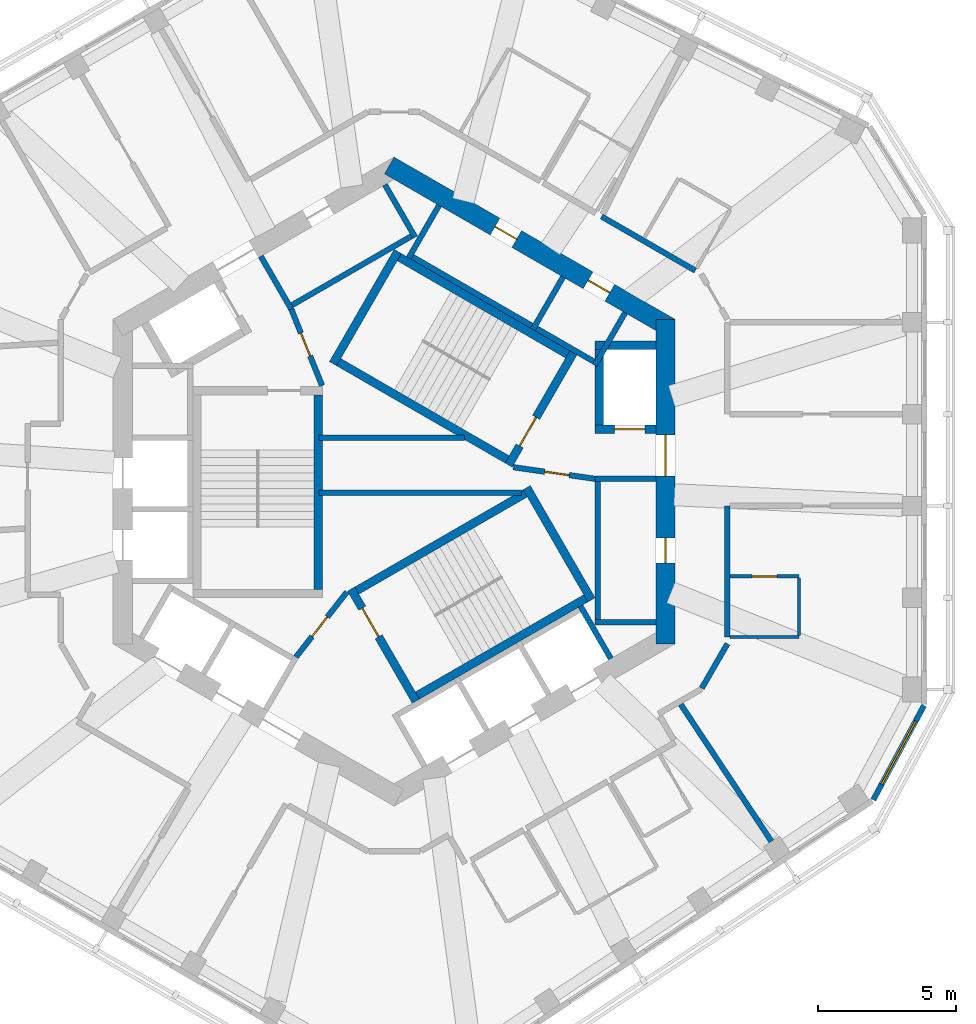
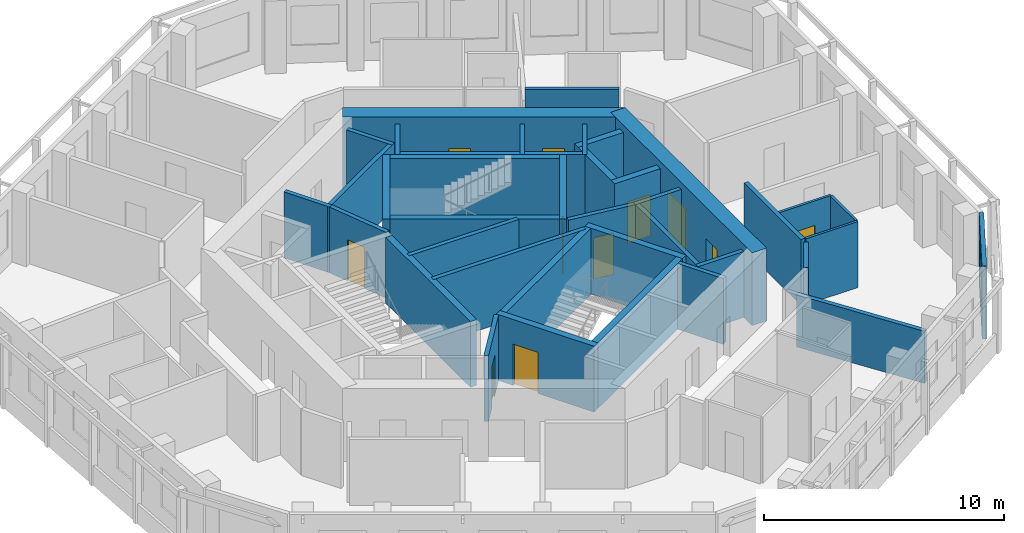
# One storey, part 6 of 11: 38 walls, 11 doors, 1 window, 12 openings.
"""IFC4 building model written with IfcOpenShell, lengths in metres."""

from ifc_helpers import new_model, si_unit, direction, frame, frame_2d, origin, place, context, subcontext, project, spatial, rectangle, extrude, material, layer, layer_set, type_object, element, fill, save


model = new_model("IFC4")

# Units and contexts
model_context = context("Model", 3, precision=1e-05, world=origin(), true_north=direction((0.0, 1.0)))
body_context = subcontext(model_context, "Body", "Model", "MODEL_VIEW")
ifc_project = project(units=[si_unit("LENGTHUNIT", "METRE"), si_unit("AREAUNIT", "SQUARE_METRE"), si_unit("VOLUMEUNIT", "CUBIC_METRE"), si_unit("PLANEANGLEUNIT", "RADIAN"), si_unit("MASSUNIT", "GRAM", prefix="KILO")], contexts=[model_context])

# Site, building, storey
site_placement = place(None, origin())
site = spatial("IfcSite", under=ifc_project, at=site_placement, CompositionType="ELEMENT")
building_placement = place(site_placement, origin())
building = spatial("IfcBuilding", under=site, at=building_placement, Name="Vanh Sen Convention Tower", CompositionType="ELEMENT")
storey_placement = place(building_placement, frame((0.0, 0.0, 296.800048828125)))
storey = spatial("IfcBuildingStorey", under=building, at=storey_placement, Name="L73", CompositionType="ELEMENT", Elevation=296.800048828125)

# Wall, opening, door
ifc_material_1 = material(Name="Moisture-resistant gypsum board on steel studs", Category="steel")
ifc_layer_1 = layer(ifc_material_1, 0.1201171875)
ifc_layer_set_1 = layer_set([ifc_layer_1], Name="Moisture-resistant gypsum board on steel studs")
wall_type_1 = type_object("IfcWallType", Name="Bathroom partition 120", PredefinedType="PARTITIONING", material=ifc_layer_set_1)
wall_1_placement = place(storey_placement, frame((12.199951171875, -3.43896484375, 0.0), z_axis=(0.0, 0.0, 1.0), x_axis=(1.0, 0.0, 0.0)))
wall_1 = element("IfcWall", 1, at=wall_1_placement, inside=storey, type_object=wall_type_1, Name="Bathroom partition 120", PredefinedType="PARTITIONING", context=body_context, shape_type="SweptSolid", body=[
    extrude(rectangle(XDim=2.5, YDim=0.1201171875, at=frame_2d((1.25, 0.0))), origin(), (0.0, 0.0, 1.0), 3.349853515625),
])
opening_1_placement = place(wall_1_placement, frame((0.800048828125, 0.0, 0.0)))
opening_1 = element("IfcOpeningElement", 2, at=opening_1_placement, cuts=wall_1, Name="Opening D72120", PredefinedType="OPENING", context=body_context, shape_type="SweptSolid", body=[
    extrude(rectangle(XDim=0.89990234375, YDim=2.10009765625, at=frame_2d((0.449951171875, 1.050048828125))), frame((0.0, 0.070068359375, 0.0), z_axis=(0.0, -1.0, 0.0), x_axis=(1.0, 0.0, 0.0)), (0.0, 0.0, 1.0), 0.14013671875),
])
ifc_material_2 = material(Name="Laminate door in steel frame", Category="steel")
door_type_1 = type_object("IfcDoorType", Name="Room internal door 900", OperationType="SINGLE_SWING_LEFT", PredefinedType="DOOR", material=ifc_material_2)
door_1_placement = place(opening_1_placement, origin())
door_1 = element("IfcDoor", 3, at=door_1_placement, inside=storey, type_object=door_type_1, Name="Internal room door D72120", OperationType="SINGLE_SWING_LEFT", OverallHeight=2.10009765625, OverallWidth=0.89990234375, PredefinedType="DOOR", context=body_context, shape_type="SweptSolid", body=[
    extrude(rectangle(XDim=0.89990234375, YDim=2.10009765625, at=frame_2d((0.449951171875, 1.050048828125))), frame((0.0, 0.02490234375, 0.0), z_axis=(0.0, -1.0, 0.0), x_axis=(1.0, 0.0, 0.0)), (0.0, 0.0, 1.0), 0.050048828125),
])
fill(opening_1, door_1)

# Walls
wall_2_placement = place(storey_placement, frame((14.699951171875, -5.638916015625, 0.0), z_axis=(0.0, 0.0, 1.0), x_axis=(-1.0, 0.0, 0.0)))
element("IfcWall", 4, at=wall_2_placement, inside=storey, type_object=wall_type_1, Name="Bathroom partition 120", PredefinedType="PARTITIONING", context=body_context, shape_type="SweptSolid", body=[
    extrude(rectangle(XDim=2.5, YDim=0.1201171875, at=frame_2d((1.25, 0.0))), origin(), (0.0, 0.0, 1.0), 3.349853515625),
])
wall_3_placement = place(storey_placement, frame((14.699951171875, -3.4990234375, 0.0), z_axis=(0.0, 0.0, 1.0), x_axis=(0.0, -1.0, 0.0)))
element("IfcWall", 5, at=wall_3_placement, inside=storey, type_object=wall_type_1, Name="Bathroom partition 120", PredefinedType="PARTITIONING", context=body_context, shape_type="SweptSolid", body=[
    extrude(rectangle(XDim=2.080078125, YDim=0.1201171875, at=frame_2d((1.0400390625, 0.0))), origin(), (0.0, 0.0, 1.0), 3.349853515625),
])

# Wall, openings, doors
ifc_material_3 = material(Name="Concrete C60/75", Category="concrete")
ifc_layer_2 = layer(ifc_material_3, 0.699951171875)
ifc_layer_set_2 = layer_set([ifc_layer_2], Name="Concrete C60/75")
wall_type_2 = type_object("IfcWallType", Name="Core outer wall 700 C60/75", PredefinedType="SHEAR", material=ifc_layer_set_2)
wall_4_placement = place(storey_placement, frame((9.85009765625, -5.888916015625, 0.0), z_axis=(0.0, 0.0, 1.0), x_axis=(0.0, 1.0, 0.0)))
wall_4 = element("IfcWall", 6, at=wall_4_placement, inside=storey, type_object=wall_type_2, Name="Core wall face E L73", PredefinedType="SHEAR", context=body_context, shape_type="SweptSolid", body=[
    extrude(rectangle(XDim=11.77783203125, YDim=0.699951171875, at=frame_2d((5.888916015625, 0.0))), origin(), (0.0, 0.0, 1.0), 3.699951171875),
])
opening_2_placement = place(wall_4_placement, frame((6.089111328125, 0.0, 0.0)))
opening_2 = element("IfcOpeningElement", 7, at=opening_2_placement, cuts=wall_4, Name="Opening D72001", PredefinedType="OPENING", context=body_context, shape_type="SweptSolid", body=[
    extrude(rectangle(XDim=1.5, YDim=2.10009765625, at=frame_2d((0.75, 1.050048828125))), frame((0.0, 0.35986328125, 0.0), z_axis=(0.0, -1.0, 0.0), x_axis=(1.0, 0.0, 0.0)), (0.0, 0.0, 1.0), 0.719970703125),
])
opening_3_placement = place(wall_4_placement, frame((2.93896484375, 0.0, 0.0)))
opening_3 = element("IfcOpeningElement", 8, at=opening_3_placement, cuts=wall_4, Name="Opening D72010", PredefinedType="OPENING", context=body_context, shape_type="SweptSolid", body=[
    extrude(rectangle(XDim=0.89990234375, YDim=2.10009765625, at=frame_2d((0.449951171875, 1.050048828125))), frame((0.0, 0.35986328125, 0.0), z_axis=(0.0, -1.0, 0.0), x_axis=(1.0, 0.0, 0.0)), (0.0, 0.0, 1.0), 0.719970703125),
])
ifc_material_4 = material(Name="Steel S355", Category="steel")
door_type_2 = type_object("IfcDoorType", Name="Plant door 900", OperationType="SINGLE_SWING_LEFT", PredefinedType="DOOR", material=ifc_material_4)
door_2_placement = place(opening_3_placement, origin())
door_2 = element("IfcDoor", 9, at=door_2_placement, inside=storey, type_object=door_type_2, Name="Plant door D72010", OperationType="SINGLE_SWING_LEFT", OverallHeight=2.10009765625, OverallWidth=0.89990234375, PredefinedType="DOOR", context=body_context, shape_type="SweptSolid", body=[
    extrude(rectangle(XDim=0.89990234375, YDim=2.10009765625, at=frame_2d((0.449951171875, 1.050048828125))), frame((0.0, 0.02490234375, 0.0), z_axis=(0.0, -1.0, 0.0), x_axis=(1.0, 0.0, 0.0)), (0.0, 0.0, 1.0), 0.050048828125),
])
fill(opening_3, door_2)
door_type_3 = type_object("IfcDoorType", Name="Stair lobby door 1500", OperationType="DOUBLE_DOOR_SINGLE_SWING", PredefinedType="DOOR", material=ifc_material_4)
door_3_placement = place(opening_2_placement, origin())
door_3 = element("IfcDoor", 10, at=door_3_placement, inside=storey, type_object=door_type_3, Name="Stair lobby door D72001", OperationType="DOUBLE_DOOR_SINGLE_SWING", OverallHeight=2.10009765625, OverallWidth=1.5, PredefinedType="DOOR", context=body_context, shape_type="SweptSolid", body=[
    extrude(rectangle(XDim=1.5, YDim=2.10009765625, at=frame_2d((0.75, 1.050048828125))), frame((0.0, 0.02490234375, 0.0), z_axis=(0.0, -1.0, 0.0), x_axis=(1.0, 0.0, 0.0)), (0.0, 0.0, 1.0), 0.050048828125),
])
fill(opening_2, door_3)

wall_5_placement = place(storey_placement, frame((10.02490234375, 5.5859375, 0.0), z_axis=(0.0, 0.0, 1.0), x_axis=(-0.866026453023, 0.499998182661, 0.0)))
wall_5 = element("IfcWall", 11, at=wall_5_placement, inside=storey, type_object=wall_type_2, Name="Core wall face NE L73", PredefinedType="SHEAR", context=body_context, shape_type="SweptSolid", body=[
    extrude(rectangle(XDim=11.77783203125, YDim=0.699951171875, at=frame_2d((5.888916015625, 0.0))), origin(), (0.0, 0.0, 1.0), 3.699951171875),
])
opening_4_placement = place(wall_5_placement, frame((2.5390625, 0.0, 0.0)))
opening_4 = element("IfcOpeningElement", 12, at=opening_4_placement, cuts=wall_5, Name="Opening D72011", PredefinedType="OPENING", context=body_context, shape_type="SweptSolid", body=[
    extrude(rectangle(XDim=0.89990234375, YDim=2.10009765625, at=frame_2d((0.449951171875, 1.050048828125))), frame((0.0, 0.35986328125, 0.0), z_axis=(0.0, -1.0, 0.0), x_axis=(1.0, 0.0, 0.0)), (0.0, 0.0, 1.0), 0.719970703125),
])
opening_5_placement = place(wall_5_placement, frame((6.43896484375, 0.0, 0.0)))
opening_5 = element("IfcOpeningElement", 13, at=opening_5_placement, cuts=wall_5, Name="Opening D72012", PredefinedType="OPENING", context=body_context, shape_type="SweptSolid", body=[
    extrude(rectangle(XDim=0.89990234375, YDim=2.10009765625, at=frame_2d((0.449951171875, 1.050048828125))), frame((0.0, 0.35986328125, 0.0), z_axis=(0.0, -1.0, 0.0), x_axis=(1.0, 0.0, 0.0)), (0.0, 0.0, 1.0), 0.719970703125),
])
door_4_placement = place(opening_4_placement, origin())
door_4 = element("IfcDoor", 14, at=door_4_placement, inside=storey, type_object=door_type_2, Name="Plant door D72011", OperationType="SINGLE_SWING_LEFT", OverallHeight=2.10009765625, OverallWidth=0.89990234375, PredefinedType="DOOR", context=body_context, shape_type="SweptSolid", body=[
    extrude(rectangle(XDim=0.89990234375, YDim=2.10009765625, at=frame_2d((0.449951171875, 1.050048828125))), frame((0.0, 0.02490234375, 0.0), z_axis=(0.0, -1.0, 0.0), x_axis=(1.0, 0.0, 0.0)), (0.0, 0.0, 1.0), 0.050048828125),
])
fill(opening_4, door_4)
door_5_placement = place(opening_5_placement, origin())
door_5 = element("IfcDoor", 15, at=door_5_placement, inside=storey, type_object=door_type_2, Name="Plant door D72012", OperationType="SINGLE_SWING_LEFT", OverallHeight=2.10009765625, OverallWidth=0.89990234375, PredefinedType="DOOR", context=body_context, shape_type="SweptSolid", body=[
    extrude(rectangle(XDim=0.89990234375, YDim=2.10009765625, at=frame_2d((0.449951171875, 1.050048828125))), frame((0.0, 0.02490234375, 0.0), z_axis=(0.0, -1.0, 0.0), x_axis=(1.0, 0.0, 0.0)), (0.0, 0.0, 1.0), 0.050048828125),
])
fill(opening_5, door_5)

# Walls
ifc_material_5 = material(Name="Masonry blockwork", Category="masonry")
ifc_layer_3 = layer(ifc_material_5, 0.199951171875)
ifc_layer_set_3 = layer_set([ifc_layer_3], Name="Masonry blockwork")
wall_type_3 = type_object("IfcWallType", Name="Core partition 200", PredefinedType="PARTITIONING", material=ifc_layer_set_3)
wall_6_placement = place(storey_placement, frame((-2.719970703125, -0.39990234375, 0.0), z_axis=(0.0, 0.0, 1.0), x_axis=(1.0, 0.0, 0.0)))
element("IfcWall", 16, at=wall_6_placement, inside=storey, type_object=wall_type_3, Name="Core partition L73", PredefinedType="PARTITIONING", context=body_context, shape_type="SweptSolid", body=[
    extrude(rectangle(XDim=7.34716796875, YDim=0.199951171875, at=frame_2d((3.673583984375, 0.0))), origin(), (0.0, 0.0, 1.0), 3.349853515625),
])
wall_7_placement = place(storey_placement, frame((-2.719970703125, 1.60009765625, 0.0), z_axis=(0.0, 0.0, 1.0), x_axis=(1.0, 0.0, 0.0)))
element("IfcWall", 17, at=wall_7_placement, inside=storey, type_object=wall_type_3, Name="Core partition L73", PredefinedType="PARTITIONING", context=body_context, shape_type="SweptSolid", body=[
    extrude(rectangle(XDim=5.2685546875, YDim=0.199951171875, at=frame_2d((2.63427734375, 0.0))), origin(), (0.0, 0.0, 1.0), 3.349853515625),
])
ifc_material_6 = material(Name="Gypsum board on steel studs with mineral wool", Category="steel")
ifc_layer_4 = layer(ifc_material_6, 0.199951171875)
ifc_layer_set_4 = layer_set([ifc_layer_4], Name="Gypsum board on steel studs with mineral wool")
wall_type_4 = type_object("IfcWallType", Name="Corridor partition wall 200", PredefinedType="PARTITIONING", material=ifc_layer_set_4)
wall_8_placement = place(storey_placement, frame((10.93359375, 7.659423828125, 0.0), z_axis=(0.0, 0.0, 1.0), x_axis=(-0.866034411203, 0.499984398369, 0.0)))
element("IfcWall", 18, at=wall_8_placement, inside=storey, type_object=wall_type_4, Name="Corridor partition wall 200", PredefinedType="PARTITIONING", context=body_context, shape_type="SweptSolid", body=[
    extrude(rectangle(XDim=3.926513671875, YDim=0.199951171875, at=frame_2d((1.96337890625, 0.0))), origin(), (0.0, 0.0, 1.0), 3.349853515625),
])
wall_9_placement = place(storey_placement, frame((11.169921875, -7.5, 0.0), z_axis=(0.0, 0.0, 1.0), x_axis=(0.500006454166, 0.866021677438, 0.0)))
element("IfcWall", 19, at=wall_9_placement, inside=storey, type_object=wall_type_4, Name="Corridor partition wall 200", PredefinedType="PARTITIONING", context=body_context, shape_type="SweptSolid", body=[
    extrude(rectangle(XDim=1.8603515625, YDim=0.199951171875, at=frame_2d((0.93017578125, 0.0))), origin(), (0.0, 0.0, 1.0), 3.349853515625),
])
wall_10_placement = place(storey_placement, frame((12.10009765625, -5.638916015625, 0.0), z_axis=(0.0, 0.0, 1.0), x_axis=(0.0, 1.0, 0.0)))
element("IfcWall", 20, at=wall_10_placement, inside=storey, type_object=wall_type_4, Name="Corridor partition wall 200", PredefinedType="PARTITIONING", context=body_context, shape_type="SweptSolid", body=[
    extrude(rectangle(XDim=4.755615234375, YDim=0.199951171875, at=frame_2d((2.3779296875, 0.0))), origin(), (0.0, 0.0, 1.0), 3.349853515625),
])

# Wall, opening, window
ifc_material_7 = material(Name="Insulated lightweight infill wall")
ifc_layer_5 = layer(ifc_material_7, 0.199951171875)
ifc_layer_set_5 = layer_set([ifc_layer_5], Name="Insulated lightweight infill wall")
wall_type_5 = type_object("IfcWallType", Name="External wall 200", PredefinedType="STANDARD", material=ifc_layer_set_5)
wall_11_placement = place(storey_placement, frame((17.39892578125, -11.55419921875, 0.0), z_axis=(0.0, 0.0, 1.0), x_axis=(0.473309051311, 0.880896442238, 0.0)))
wall_11 = element("IfcWall", 21, at=wall_11_placement, inside=storey, type_object=wall_type_5, Name="External wall CH6 L73", PredefinedType="STANDARD", context=body_context, shape_type="SweptSolid", body=[
    extrude(rectangle(XDim=3.8857421875, YDim=0.199951171875, at=frame_2d((1.94287109375, 0.0))), origin(), (0.0, 0.0, 1.0), 3.699951171875),
])
opening_6_placement = place(wall_11_placement, frame((0.642822265625, 0.0, 0.89990234375)))
opening_6 = element("IfcOpeningElement", 22, at=opening_6_placement, cuts=wall_11, Name="Opening WO6-CH61", PredefinedType="OPENING", context=body_context, shape_type="SweptSolid", body=[
    extrude(rectangle(XDim=2.60009765625, YDim=2.0, at=frame_2d((1.300048828125, 1.0))), frame((0.0, 0.10986328125, 0.0), z_axis=(0.0, -1.0, 0.0), x_axis=(1.0, 0.0, 0.0)), (0.0, 0.0, 1.0), 0.219970703125),
])
ifc_material_8 = material(Name="Aluminium frame with clear low-emissivity glass", Category="aluminium")
window_type = type_object("IfcWindowType", Name="Office window 2600 x 2000", PartitioningType="SINGLE_PANEL", PredefinedType="WINDOW", material=ifc_material_8)
window_placement = place(opening_6_placement, origin())
window = element("IfcWindow", 23, at=window_placement, inside=storey, type_object=window_type, Name="Window WO6-CH61", OverallHeight=2.0, OverallWidth=2.60009765625, PartitioningType="SINGLE_PANEL", PredefinedType="WINDOW", context=body_context, shape_type="SweptSolid", body=[
    extrude(rectangle(XDim=2.60009765625, YDim=2.0, at=frame_2d((1.300048828125, 1.0))), frame((0.0, 0.030029296875, 0.0), z_axis=(0.0, -1.0, 0.0), x_axis=(1.0, 0.0, 0.0)), (0.0, 0.0, 1.0), 0.06005859375),
])
fill(opening_6, window)

# Wall, opening, door
ifc_layer_6 = layer(ifc_material_3, 0.300048828125)
ifc_layer_set_6 = layer_set([ifc_layer_6], Name="Concrete C60/75")
wall_type_6 = type_object("IfcWallType", Name="Fire-fighting lift shaft wall 300", PredefinedType="SHEAR", material=ifc_layer_set_6)
wall_12_placement = place(storey_placement, frame((7.300048828125, 1.89990234375, 0.0), z_axis=(0.0, 0.0, 1.0), x_axis=(1.0, 0.0, 0.0)))
wall_12 = element("IfcWall", 24, at=wall_12_placement, inside=storey, type_object=wall_type_6, Name="Fire-fighting lift shaft wall L73", PredefinedType="SHEAR", context=body_context, shape_type="SweptSolid", body=[
    extrude(rectangle(XDim=2.199951171875, YDim=0.300048828125, at=frame_2d((1.10009765625, 0.0))), origin(), (0.0, 0.0, 1.0), 3.349853515625),
])
opening_7_placement = place(wall_12_placement, frame((0.699951171875, 0.0, 0.0)))
opening_7 = element("IfcOpeningElement", 25, at=opening_7_placement, cuts=wall_12, Name="Opening LD-FF1", PredefinedType="OPENING", context=body_context, shape_type="SweptSolid", body=[
    extrude(rectangle(XDim=1.10009765625, YDim=2.10009765625, at=frame_2d((0.550048828125, 1.050048828125))), frame((0.0, 0.159912109375, 0.0), z_axis=(0.0, -1.0, 0.0), x_axis=(1.0, 0.0, 0.0)), (0.0, 0.0, 1.0), 0.320068359375),
])
ifc_material_9 = material(Name="Stainless steel", Category="steel")
door_type_4 = type_object("IfcDoorType", Name="Fire-fighting lift landing door 1100", OperationType="DOUBLE_DOOR_SLIDING", PredefinedType="DOOR", material=ifc_material_9)
door_6_placement = place(opening_7_placement, origin())
door_6 = element("IfcDoor", 26, at=door_6_placement, inside=storey, type_object=door_type_4, Name="Lift FF1 landing door LD-FF1", OperationType="DOUBLE_DOOR_SLIDING", OverallHeight=2.10009765625, OverallWidth=1.10009765625, PredefinedType="DOOR", context=body_context, shape_type="SweptSolid", body=[
    extrude(rectangle(XDim=1.10009765625, YDim=2.10009765625, at=frame_2d((0.550048828125, 1.050048828125))), frame((0.0, 0.02490234375, 0.0), z_axis=(0.0, -1.0, 0.0), x_axis=(1.0, 0.0, 0.0)), (0.0, 0.0, 1.0), 0.050048828125),
])
fill(opening_7, door_6)

# Walls
wall_13_placement = place(storey_placement, frame((7.449951171875, 1.75, 0.0), z_axis=(0.0, 0.0, 1.0), x_axis=(0.0, 1.0, 0.0)))
element("IfcWall", 27, at=wall_13_placement, inside=storey, type_object=wall_type_6, Name="Fire-fighting lift shaft wall L73", PredefinedType="SHEAR", context=body_context, shape_type="SweptSolid", body=[
    extrude(rectangle(XDim=3.35009765625, YDim=0.300048828125, at=frame_2d((1.675048828125, 0.0))), origin(), (0.0, 0.0, 1.0), 3.349853515625),
])
wall_14_placement = place(storey_placement, frame((7.300048828125, 4.949951171875, 0.0), z_axis=(0.0, 0.0, 1.0), x_axis=(1.0, 0.0, 0.0)))
element("IfcWall", 28, at=wall_14_placement, inside=storey, type_object=wall_type_6, Name="Fire-fighting lift shaft wall L73", PredefinedType="SHEAR", context=body_context, shape_type="SweptSolid", body=[
    extrude(rectangle(XDim=2.199951171875, YDim=0.300048828125, at=frame_2d((1.10009765625, 0.0))), origin(), (0.0, 0.0, 1.0), 3.349853515625),
])
ifc_material_10 = material(Name="Concrete C40/50", Category="concrete")
ifc_layer_7 = layer(ifc_material_10, 0.199951171875)
ifc_layer_set_7 = layer_set([ifc_layer_7], Name="Concrete C40/50")
wall_type_7 = type_object("IfcWallType", Name="Lift shaft wall 200", PredefinedType="PARTITIONING", material=ifc_layer_set_7)
wall_15_placement = place(storey_placement, frame((7.39990234375, -5.199951171875, 0.0), z_axis=(0.0, 0.0, 1.0), x_axis=(0.0, 1.0, 0.0)))
element("IfcWall", 29, at=wall_15_placement, inside=storey, type_object=wall_type_7, Name="Lift shaft wall L73", PredefinedType="PARTITIONING", context=body_context, shape_type="SweptSolid", body=[
    extrude(rectangle(XDim=5.39990234375, YDim=0.199951171875, at=frame_2d((2.699951171875, 0.0))), origin(), (0.0, 0.0, 1.0), 3.349853515625),
])
for number, where, z_axis, x_axis, name in (
    (30, (7.300048828125, -5.10009765625, 0.0), (0.0, 0.0, 1.0), (1.0, 0.0, 0.0), "Lift shaft wall L73"),
    (31, (7.300048828125, 0.10009765625, 0.0), (0.0, 0.0, 1.0), (1.0, 0.0, 0.0), "Lift shaft wall L73"),
):
    element("IfcWall", number, at=place(storey_placement, frame(where, z_axis=z_axis, x_axis=x_axis)), inside=storey, type_object=wall_type_7, Name=name, PredefinedType="PARTITIONING", context=body_context, shape_type="SweptSolid", body=[
        extrude(rectangle(XDim=2.199951171875, YDim=0.199951171875, at=frame_2d((1.10009765625, 0.0))), origin(), (0.0, 0.0, 1.0), 3.349853515625),
    ])
wall_16_placement = place(storey_placement, frame((7.423828125, 4.258544921875, 0.0), z_axis=(0.0, 0.0, 1.0), x_axis=(-0.866026010844, 0.49999894854, 0.0)))
element("IfcWall", 32, at=wall_16_placement, inside=storey, type_object=wall_type_7, Name="Lift shaft wall L73", PredefinedType="PARTITIONING", context=body_context, shape_type="SweptSolid", body=[
    extrude(rectangle(XDim=8.0, YDim=0.199951171875, at=frame_2d((4.0, 0.0))), origin(), (0.0, 0.0, 1.0), 3.349853515625),
])
for number, where, z_axis, x_axis, name in (
    (33, (7.287353515625, 4.221923828125, 0.0), (0.0, 0.0, 1.0), (0.499946605688, 0.86605622881, 0.0), "Lift shaft wall L73"),
    (34, (5.03564453125, 5.52197265625, 0.0), (0.0, 0.0, 1.0), (0.499946605688, 0.86605622881, 0.0), "Lift shaft wall L73"),
    (35, (0.5322265625, 8.1220703125, 0.0), (0.0, 0.0, 1.0), (0.500077893725, 0.86598042715, 0.0), "Lift shaft wall L73"),
):
    element("IfcWall", number, at=place(storey_placement, frame(where, z_axis=z_axis, x_axis=x_axis)), inside=storey, type_object=wall_type_7, Name=name, PredefinedType="PARTITIONING", context=body_context, shape_type="SweptSolid", body=[
        extrude(rectangle(XDim=2.199951171875, YDim=0.199951171875, at=frame_2d((1.10009765625, 0.0))), origin(), (0.0, 0.0, 1.0), 3.349853515625),
    ])
wall_17_placement = place(storey_placement, frame((0.80322265625, 9.008544921875, 0.0), z_axis=(0.0, 0.0, 1.0), x_axis=(-0.866028230842, -0.499995103361, 0.0)))
element("IfcWall", 36, at=wall_17_placement, inside=storey, type_object=wall_type_7, Name="Lift shaft wall L73", PredefinedType="PARTITIONING", context=body_context, shape_type="SweptSolid", body=[
    extrude(rectangle(XDim=5.39990234375, YDim=0.199951171875, at=frame_2d((2.699951171875, 0.0))), origin(), (0.0, 0.0, 1.0), 3.349853515625),
])
wall_18_placement = place(storey_placement, frame((0.7666015625, 8.8720703125, 0.0), z_axis=(0.0, 0.0, 1.0), x_axis=(-0.499994660107, 0.866028486751, 0.0)))
element("IfcWall", 37, at=wall_18_placement, inside=storey, type_object=wall_type_7, Name="Lift shaft wall L73", PredefinedType="PARTITIONING", context=body_context, shape_type="SweptSolid", body=[
    extrude(rectangle(XDim=2.19970703125, YDim=0.199951171875, at=frame_2d((1.099853515625, 0.0))), origin(), (0.0, 0.0, 1.0), 3.349853515625),
])
for number, where, z_axis, x_axis, name in (
    (38, (-3.736572265625, 6.27197265625, 0.0), (0.0, 0.0, 1.0), (-0.50002983664, 0.866008176907, 0.0), "Lift shaft wall L73"),
    (39, (6.767578125, -4.52197265625, 0.0), (0.0, 0.0, 1.0), (0.50002983664, -0.866008176907, 0.0), "Lift shaft wall L73"),
):
    element("IfcWall", number, at=place(storey_placement, frame(where, z_axis=z_axis, x_axis=x_axis)), inside=storey, type_object=wall_type_7, Name=name, PredefinedType="PARTITIONING", context=body_context, shape_type="SweptSolid", body=[
        extrude(rectangle(XDim=2.199951171875, YDim=0.199951171875, at=frame_2d((1.10009765625, 0.0))), origin(), (0.0, 0.0, 1.0), 3.349853515625),
    ])

# Wall, opening, door
ifc_layer_8 = layer(ifc_material_10, 0.199951171875)
ifc_layer_set_8 = layer_set([ifc_layer_8], Name="Concrete C40/50")
wall_type_8 = type_object("IfcWallType", Name="Stair lobby wall 200", PredefinedType="PARTITIONING", material=ifc_layer_set_8)
wall_19_placement = place(storey_placement, frame((4.327392578125, 0.52099609375, 0.0), z_axis=(0.0, 0.0, 1.0), x_axis=(0.990124376366, -0.14019172346, 0.0)))
wall_19 = element("IfcWall", 40, at=wall_19_placement, inside=storey, type_object=wall_type_8, Name="Stair lobby wall L73", PredefinedType="PARTITIONING", context=body_context, shape_type="SweptSolid", body=[
    extrude(rectangle(XDim=3.002197265625, YDim=0.199951171875, at=frame_2d((1.5009765625, 0.0))), origin(), (0.0, 0.0, 1.0), 3.349853515625),
])
opening_8_placement = place(wall_19_placement, frame((1.14990234375, 0.0, 0.0)))
opening_8 = element("IfcOpeningElement", 41, at=opening_8_placement, cuts=wall_19, Name="Opening D72007", PredefinedType="OPENING", context=body_context, shape_type="SweptSolid", body=[
    extrude(rectangle(XDim=0.89990234375, YDim=2.10009765625, at=frame_2d((0.449951171875, 1.050048828125))), frame((0.0, 0.10986328125, 0.0), z_axis=(0.0, -1.0, 0.0), x_axis=(1.0, 0.0, 0.0)), (0.0, 0.0, 1.0), 0.219970703125),
])
door_7_placement = place(opening_8_placement, origin())
door_7 = element("IfcDoor", 42, at=door_7_placement, inside=storey, type_object=door_type_2, Name="Plant door D72007", OperationType="SINGLE_SWING_LEFT", OverallHeight=2.10009765625, OverallWidth=0.89990234375, PredefinedType="DOOR", context=body_context, shape_type="SweptSolid", body=[
    extrude(rectangle(XDim=0.89990234375, YDim=2.10009765625, at=frame_2d((0.449951171875, 1.050048828125))), frame((0.0, 0.02490234375, 0.0), z_axis=(0.0, -1.0, 0.0), x_axis=(1.0, 0.0, 0.0)), (0.0, 0.0, 1.0), 0.050048828125),
])
fill(opening_8, door_7)

wall_20_placement = place(storey_placement, frame((-2.614990234375, 3.487060546875, 0.0), z_axis=(0.0, 0.0, 1.0), x_axis=(-0.373576831041, 0.92759924068, 0.0)))
wall_20 = element("IfcWall", 43, at=wall_20_placement, inside=storey, type_object=wall_type_8, Name="Stair lobby wall L73", PredefinedType="PARTITIONING", context=body_context, shape_type="SweptSolid", body=[
    extrude(rectangle(XDim=3.002197265625, YDim=0.199951171875, at=frame_2d((1.5009765625, 0.0))), origin(), (0.0, 0.0, 1.0), 3.349853515625),
])
opening_9_placement = place(wall_20_placement, frame((1.14990234375, 0.0, 0.0)))
opening_9 = element("IfcOpeningElement", 44, at=opening_9_placement, cuts=wall_20, Name="Opening D72008", PredefinedType="OPENING", context=body_context, shape_type="SweptSolid", body=[
    extrude(rectangle(XDim=0.89990234375, YDim=2.10009765625, at=frame_2d((0.449951171875, 1.050048828125))), frame((0.0, 0.10986328125, 0.0), z_axis=(0.0, -1.0, 0.0), x_axis=(1.0, 0.0, 0.0)), (0.0, 0.0, 1.0), 0.219970703125),
])
door_8_placement = place(opening_9_placement, origin())
door_8 = element("IfcDoor", 45, at=door_8_placement, inside=storey, type_object=door_type_2, Name="Plant door D72008", OperationType="SINGLE_SWING_LEFT", OverallHeight=2.10009765625, OverallWidth=0.89990234375, PredefinedType="DOOR", context=body_context, shape_type="SweptSolid", body=[
    extrude(rectangle(XDim=0.89990234375, YDim=2.10009765625, at=frame_2d((0.449951171875, 1.050048828125))), frame((0.0, 0.02490234375, 0.0), z_axis=(0.0, -1.0, 0.0), x_axis=(1.0, 0.0, 0.0)), (0.0, 0.0, 1.0), 0.050048828125),
])
fill(opening_9, door_8)

wall_21_placement = place(storey_placement, frame((-1.71240234375, -4.00830078125, 0.0), z_axis=(0.0, 0.0, 1.0), x_axis=(-0.616549420702, -0.787316208287, 0.0)))
wall_21 = element("IfcWall", 46, at=wall_21_placement, inside=storey, type_object=wall_type_8, Name="Stair lobby wall L73", PredefinedType="PARTITIONING", context=body_context, shape_type="SweptSolid", body=[
    extrude(rectangle(XDim=3.002197265625, YDim=0.199951171875, at=frame_2d((1.5009765625, 0.0))), origin(), (0.0, 0.0, 1.0), 3.349853515625),
])
opening_10_placement = place(wall_21_placement, frame((1.14990234375, 0.0, 0.0)))
opening_10 = element("IfcOpeningElement", 47, at=opening_10_placement, cuts=wall_21, Name="Opening D72009", PredefinedType="OPENING", context=body_context, shape_type="SweptSolid", body=[
    extrude(rectangle(XDim=0.89990234375, YDim=2.10009765625, at=frame_2d((0.449951171875, 1.050048828125))), frame((0.0, 0.10986328125, 0.0), z_axis=(0.0, -1.0, 0.0), x_axis=(1.0, 0.0, 0.0)), (0.0, 0.0, 1.0), 0.219970703125),
])
door_9_placement = place(opening_10_placement, origin())
door_9 = element("IfcDoor", 48, at=door_9_placement, inside=storey, type_object=door_type_2, Name="Plant door D72009", OperationType="SINGLE_SWING_LEFT", OverallHeight=2.10009765625, OverallWidth=0.89990234375, PredefinedType="DOOR", context=body_context, shape_type="SweptSolid", body=[
    extrude(rectangle(XDim=0.89990234375, YDim=2.10009765625, at=frame_2d((0.449951171875, 1.050048828125))), frame((0.0, 0.02490234375, 0.0), z_axis=(0.0, -1.0, 0.0), x_axis=(1.0, 0.0, 0.0)), (0.0, 0.0, 1.0), 0.050048828125),
])
fill(opening_10, door_9)

ifc_layer_9 = layer(ifc_material_3, 0.300048828125)
ifc_layer_set_9 = layer_set([ifc_layer_9], Name="Concrete C60/75")
wall_type_9 = type_object("IfcWallType", Name="Stair wall 300", PredefinedType="SHEAR", material=ifc_layer_set_9)
wall_22_placement = place(storey_placement, frame((4.157958984375, 0.601806640625, 0.0), z_axis=(0.0, 0.0, 1.0), x_axis=(0.499977259774, 0.866038532462, 0.0)))
wall_22 = element("IfcWall", 49, at=wall_22_placement, inside=storey, type_object=wall_type_9, Name="Stair wall L73", PredefinedType="SHEAR", context=body_context, shape_type="SweptSolid", body=[
    extrude(rectangle(XDim=4.699951171875, YDim=0.300048828125, at=frame_2d((2.35009765625, 0.0))), origin(), (0.0, 0.0, 1.0), 3.349853515625),
])
opening_11_placement = place(wall_22_placement, frame((0.800048828125, 0.0, 0.0)))
opening_11 = element("IfcOpeningElement", 50, at=opening_11_placement, cuts=wall_22, Name="Opening D72004", PredefinedType="OPENING", context=body_context, shape_type="SweptSolid", body=[
    extrude(rectangle(XDim=1.199951171875, YDim=2.10009765625, at=frame_2d((0.60009765625, 1.050048828125))), frame((0.0, 0.159912109375, 0.0), z_axis=(0.0, -1.0, 0.0), x_axis=(1.0, 0.0, 0.0)), (0.0, 0.0, 1.0), 0.320068359375),
])
door_type_5 = type_object("IfcDoorType", Name="Stair door 1200", OperationType="SINGLE_SWING_RIGHT", PredefinedType="DOOR", material=ifc_material_4)
door_10_placement = place(opening_11_placement, origin())
door_10 = element("IfcDoor", 51, at=door_10_placement, inside=storey, type_object=door_type_5, Name="Stair ST1 door D72004", OperationType="SINGLE_SWING_RIGHT", OverallHeight=2.10009765625, OverallWidth=1.199951171875, PredefinedType="DOOR", context=body_context, shape_type="SweptSolid", body=[
    extrude(rectangle(XDim=1.199951171875, YDim=2.10009765625, at=frame_2d((0.60009765625, 1.050048828125))), frame((0.0, 0.02490234375, 0.0), z_axis=(0.0, -1.0, 0.0), x_axis=(1.0, 0.0, 0.0)), (0.0, 0.0, 1.0), 0.050048828125),
])
fill(opening_11, door_10)

# Walls
wall_23_placement = place(storey_placement, frame((-2.216064453125, 4.28173828125, 0.0), z_axis=(0.0, 0.0, 1.0), x_axis=(0.499977259774, 0.866038532462, 0.0)))
element("IfcWall", 52, at=wall_23_placement, inside=storey, type_object=wall_type_9, Name="Stair wall L73", PredefinedType="SHEAR", context=body_context, shape_type="SweptSolid", body=[
    extrude(rectangle(XDim=4.699951171875, YDim=0.300048828125, at=frame_2d((2.35009765625, 0.0))), origin(), (0.0, 0.0, 1.0), 3.349853515625),
])
for number, where, z_axis, x_axis, name in (
    (53, (4.10302734375, 0.806640625, 0.0), (0.0, 0.0, 1.0), (-0.866027801685, 0.499995846692, 0.0), "Stair wall L73"),
    (54, (6.302978515625, 4.6171875, 0.0), (0.0, 0.0, 1.0), (-0.866027801685, 0.499995846692, 0.0), "Stair wall L73"),
):
    element("IfcWall", number, at=place(storey_placement, frame(where, z_axis=z_axis, x_axis=x_axis)), inside=storey, type_object=wall_type_9, Name=name, PredefinedType="SHEAR", context=body_context, shape_type="SweptSolid", body=[
        extrude(rectangle(XDim=7.06005859375, YDim=0.300048828125, at=frame_2d((3.530029296875, 0.0))), origin(), (0.0, 0.0, 1.0), 3.349853515625),
    ])
wall_24_placement = place(storey_placement, frame((-2.75, 3.14990234375, 0.0), z_axis=(0.0, 0.0, 1.0), x_axis=(0.0, -1.0, 0.0)))
element("IfcWall", 55, at=wall_24_placement, inside=storey, type_object=wall_type_9, Name="Stair wall L73", PredefinedType="SHEAR", context=body_context, shape_type="SweptSolid", body=[
    extrude(rectangle(XDim=7.059814453125, YDim=0.300048828125, at=frame_2d((3.52978515625, 0.0))), origin(), (0.0, 0.0, 1.0), 3.349853515625),
])

# Wall, opening, door
wall_25_placement = place(storey_placement, frame((-1.557861328125, -3.901611328125, 0.0), z_axis=(0.0, 0.0, 1.0), x_axis=(0.499977259774, -0.866038532462, 0.0)))
wall_25 = element("IfcWall", 56, at=wall_25_placement, inside=storey, type_object=wall_type_9, Name="Stair wall L73", PredefinedType="SHEAR", context=body_context, shape_type="SweptSolid", body=[
    extrude(rectangle(XDim=4.699951171875, YDim=0.300048828125, at=frame_2d((2.35009765625, 0.0))), origin(), (0.0, 0.0, 1.0), 3.349853515625),
])
opening_12_placement = place(wall_25_placement, frame((0.800048828125, 0.0, 0.0)))
opening_12 = element("IfcOpeningElement", 57, at=opening_12_placement, cuts=wall_25, Name="Opening D72006", PredefinedType="OPENING", context=body_context, shape_type="SweptSolid", body=[
    extrude(rectangle(XDim=1.199951171875, YDim=2.10009765625, at=frame_2d((0.60009765625, 1.050048828125))), frame((0.0, 0.159912109375, 0.0), z_axis=(0.0, -1.0, 0.0), x_axis=(1.0, 0.0, 0.0)), (0.0, 0.0, 1.0), 0.320068359375),
])
door_11_placement = place(opening_12_placement, origin())
door_11 = element("IfcDoor", 58, at=door_11_placement, inside=storey, type_object=door_type_5, Name="Stair ST3 door D72006", OperationType="SINGLE_SWING_RIGHT", OverallHeight=2.10009765625, OverallWidth=1.199951171875, PredefinedType="DOOR", context=body_context, shape_type="SweptSolid", body=[
    extrude(rectangle(XDim=1.199951171875, YDim=2.10009765625, at=frame_2d((0.60009765625, 1.050048828125))), frame((0.0, 0.02490234375, 0.0), z_axis=(0.0, -1.0, 0.0), x_axis=(1.0, 0.0, 0.0)), (0.0, 0.0, 1.0), 0.050048828125),
])
fill(opening_12, door_11)

# Walls
wall_26_placement = place(storey_placement, frame((4.816162109375, -0.2216796875, 0.0), z_axis=(0.0, 0.0, 1.0), x_axis=(0.499977259774, -0.866038532462, 0.0)))
element("IfcWall", 59, at=wall_26_placement, inside=storey, type_object=wall_type_9, Name="Stair wall L73", PredefinedType="SHEAR", context=body_context, shape_type="SweptSolid", body=[
    extrude(rectangle(XDim=4.699951171875, YDim=0.300048828125, at=frame_2d((2.35009765625, 0.0))), origin(), (0.0, 0.0, 1.0), 3.349853515625),
])
for number, where, z_axis, x_axis, name in (
    (60, (-1.35302734375, -3.95654296875, 0.0), (0.0, 0.0, 1.0), (0.866027801685, 0.499995846692, 0.0), "Stair wall L73"),
    (61, (0.846923828125, -7.76708984375, 0.0), (0.0, 0.0, 1.0), (0.866027801685, 0.499995846692, 0.0), "Stair wall L73"),
):
    element("IfcWall", number, at=place(storey_placement, frame(where, z_axis=z_axis, x_axis=x_axis)), inside=storey, type_object=wall_type_9, Name=name, PredefinedType="SHEAR", context=body_context, shape_type="SweptSolid", body=[
        extrude(rectangle(XDim=7.06005859375, YDim=0.300048828125, at=frame_2d((3.530029296875, 0.0))), origin(), (0.0, 0.0, 1.0), 3.349853515625),
    ])
ifc_layer_10 = layer(ifc_material_6, 0.199951171875)
ifc_layer_set_10 = layer_set([ifc_layer_10], Name="Gypsum board on steel studs with mineral wool")
wall_type_10 = type_object("IfcWallType", Name="Tenant suite wall 200", PredefinedType="PARTITIONING", material=ifc_layer_set_10)
wall_27_placement = place(storey_placement, frame((13.697998046875, -13.058837890625, 0.0), z_axis=(0.0, 0.0, 1.0), x_axis=(-0.551927229301, 0.833892279348, 0.0)))
element("IfcWall", 62, at=wall_27_placement, inside=storey, type_object=wall_type_10, Name="Tenant suite wall 200", PredefinedType="PARTITIONING", context=body_context, shape_type="SweptSolid", body=[
    extrude(rectangle(XDim=5.959716796875, YDim=0.199951171875, at=frame_2d((2.97998046875, 0.0))), origin(), (0.0, 0.0, 1.0), 2.64990234375),
])

save(model, "model.ifc")
